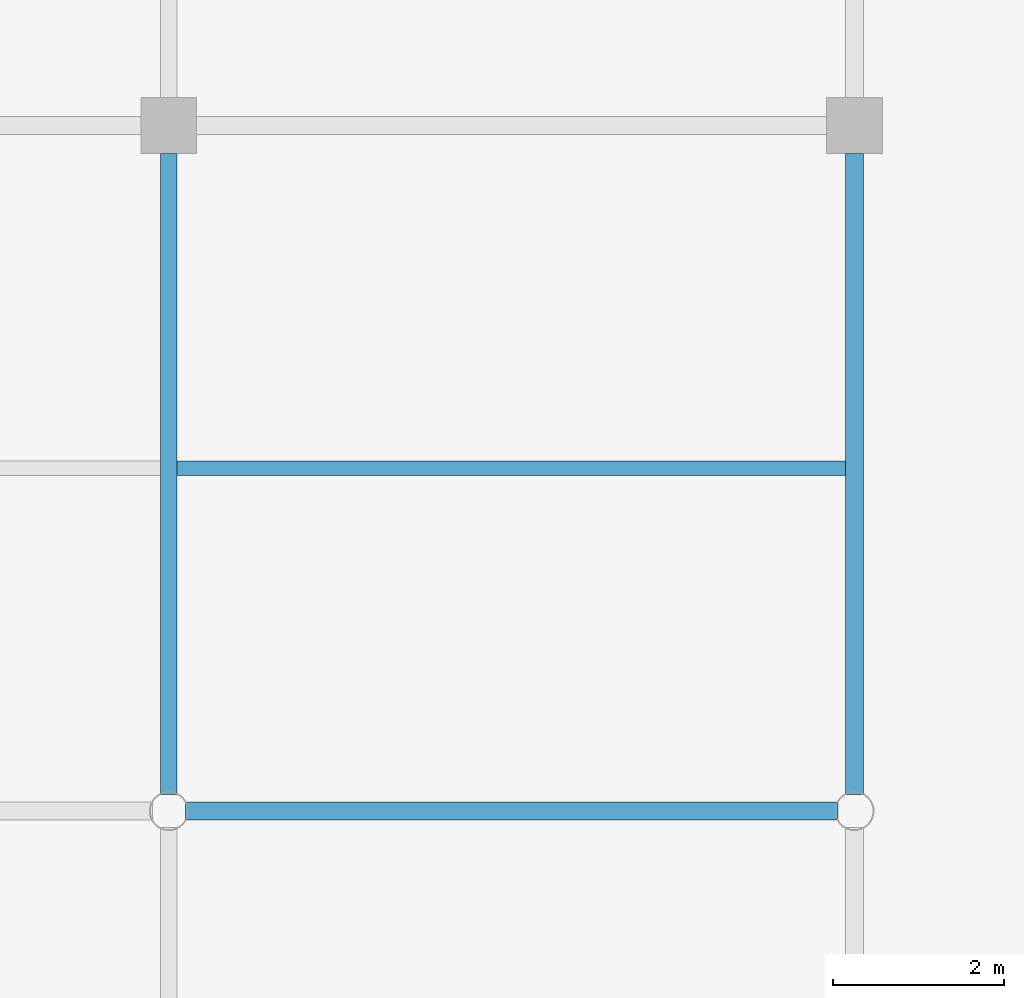
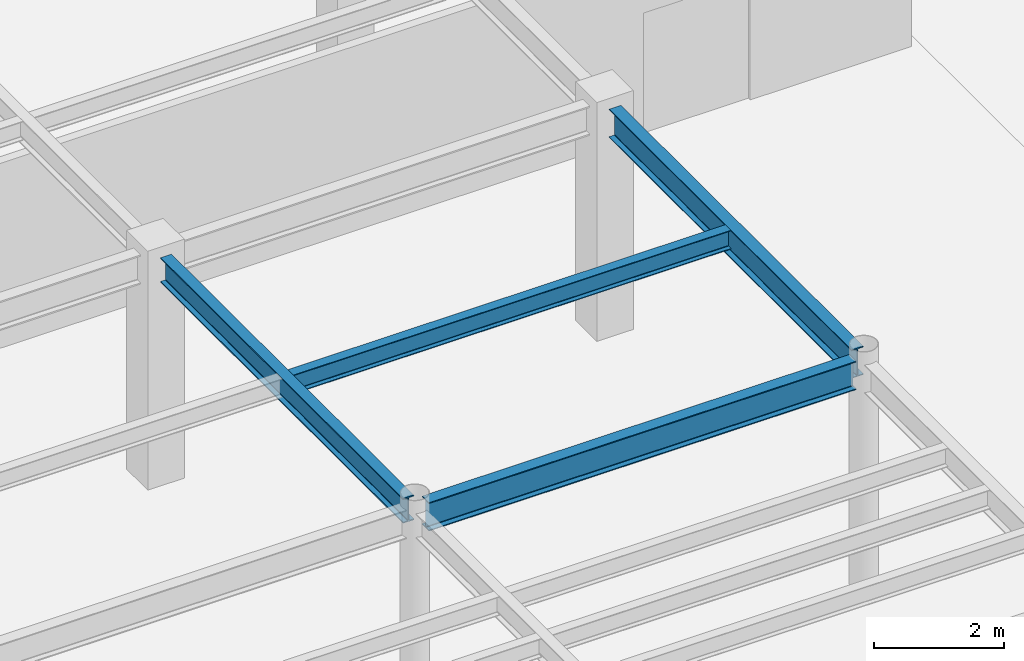
# One storey, part 57 of 111: 4 beams.
"""IFC4 building model written with IfcOpenShell, lengths in metres."""

from ifc_helpers import new_model, si_unit, direction, frame, origin, origin_2d, place, context, subcontext, project, spatial, i_section, extrude, material, material_profile, profile_set, type_object, element, save


model = new_model("IFC4")

# Units and contexts
model_context = context("Model", 3, precision=1e-05, world=origin(), true_north=direction((0.0, 1.0)))
body_context = subcontext(model_context, "Body", "Model", "MODEL_VIEW")
ifc_project = project(units=[si_unit("LENGTHUNIT", "METRE"), si_unit("AREAUNIT", "SQUARE_METRE"), si_unit("VOLUMEUNIT", "CUBIC_METRE"), si_unit("PLANEANGLEUNIT", "RADIAN"), si_unit("MASSUNIT", "GRAM", prefix="KILO")], contexts=[model_context])

# Site, building, storey
site_placement = place(None, origin())
site = spatial("IfcSite", under=ifc_project, at=site_placement, CompositionType="ELEMENT")
building_placement = place(site_placement, origin())
building = spatial("IfcBuilding", under=site, at=building_placement, Name="Solmirada Galleria", CompositionType="ELEMENT")
storey_placement = place(building_placement, frame((0.0, 0.0, 10.39990234375)))
storey = spatial("IfcBuildingStorey", under=building, at=storey_placement, Name="L02", CompositionType="ELEMENT", Elevation=10.39990234375)

# Beams
ifc_material = material(Name="Steel S355 / ASTM A992 Grade 50", Category="steel")
ifc_material_profile_1 = material_profile(ifc_material, i_section(OverallWidth=0.194091796875, OverallDepth=0.468994140625, WebThickness=0.0126953125, FlangeThickness=0.0205078125, FilletRadius=0.013916015625, at=origin_2d()), Name="W18X71")
ifc_profile_set_1 = profile_set([ifc_material_profile_1], Name="Steel S355 / ASTM A992 Grade 50")
beam_type_1 = type_object("IfcBeamType", Name="BM-GIRD-W18B", PredefinedType="BEAM", material=ifc_profile_set_1)
beam_1_placement = place(storey_placement, frame((104.0, 88.19189453125, 4.065673828125), z_axis=(0.0, 1.0, 0.0), x_axis=(-1.0, 0.0, 0.0)))
element("IfcBeam", 1, at=beam_1_placement, inside=storey, type_object=beam_type_1, Name="Primary girder L03 Y(104, 88..96)", PredefinedType="BEAM", context=body_context, shape_type="SweptSolid", body=[
    extrude(i_section(OverallWidth=0.194091796875, OverallDepth=0.468994140625, WebThickness=0.0126953125, FlangeThickness=0.0205078125, FilletRadius=0.013916015625, at=origin_2d()), origin(), (0.0, 0.0, 1.0), 7.483154296875),
])
ifc_material_profile_2 = material_profile(ifc_material, i_section(OverallWidth=0.2099609375, OverallDepth=0.537109375, WebThickness=0.010986328125, FlangeThickness=0.017333984375, FilletRadius=0.014892578125, at=origin_2d()), Name="W21X68")
ifc_profile_set_2 = profile_set([ifc_material_profile_2], Name="Steel S355 / ASTM A992 Grade 50")
beam_type_2 = type_object("IfcBeamType", Name="BM-GIRD-W21B", PredefinedType="BEAM", material=ifc_profile_set_2)
beam_2_placement = place(storey_placement, frame((104.19189453125, 88.0, 4.031494140625), z_axis=(1.0, 0.0, 0.0), x_axis=(0.0, 1.0, 0.0)))
element("IfcBeam", 2, at=beam_2_placement, inside=storey, type_object=beam_type_2, Name="Primary beam L03 X(104..112, 88)", PredefinedType="BEAM", context=body_context, shape_type="SweptSolid", body=[
    extrude(i_section(OverallWidth=0.2099609375, OverallDepth=0.537109375, WebThickness=0.010986328125, FlangeThickness=0.017333984375, FilletRadius=0.014892578125, at=origin_2d()), origin(), (0.0, 0.0, 1.0), 7.6162109375),
])
beam_3_placement = place(storey_placement, frame((112.0, 88.19189453125, 4.031494140625), z_axis=(0.0, 1.0, 0.0), x_axis=(-1.0, 0.0, 0.0)))
element("IfcBeam", 3, at=beam_3_placement, inside=storey, type_object=beam_type_2, Name="Primary girder L03 Y(112, 88..96)", PredefinedType="BEAM", context=body_context, shape_type="SweptSolid", body=[
    extrude(i_section(OverallWidth=0.2099609375, OverallDepth=0.537109375, WebThickness=0.010986328125, FlangeThickness=0.017333984375, FilletRadius=0.014892578125, at=origin_2d()), origin(), (0.0, 0.0, 1.0), 7.483154296875),
])
ifc_material_profile_3 = material_profile(ifc_material, i_section(OverallWidth=0.172119140625, OverallDepth=0.35791015625, WebThickness=0.0078125, FlangeThickness=0.01318359375, FilletRadius=0.011962890625, at=origin_2d()), Name="W14X38")
ifc_profile_set_3 = profile_set([ifc_material_profile_3], Name="Steel S355 / ASTM A992 Grade 50")
beam_type_3 = type_object("IfcBeamType", Name="BM-JST-W14A", PredefinedType="JOIST", material=ifc_profile_set_3)
beam_4_placement = place(storey_placement, frame((104.096923828125, 92.0, 4.12109375), z_axis=(1.0, 0.0, 0.0), x_axis=(0.0, 1.0, 0.0)))
element("IfcBeam", 4, at=beam_4_placement, inside=storey, type_object=beam_type_3, Name="Composite floor joist L03 (104..112, 92.0)", PredefinedType="JOIST", context=body_context, shape_type="SweptSolid", body=[
    extrude(i_section(OverallWidth=0.172119140625, OverallDepth=0.35791015625, WebThickness=0.0078125, FlangeThickness=0.01318359375, FilletRadius=0.011962890625, at=origin_2d()), origin(), (0.0, 0.0, 1.0), 7.798095703125),
])

save(model, "model.ifc")
